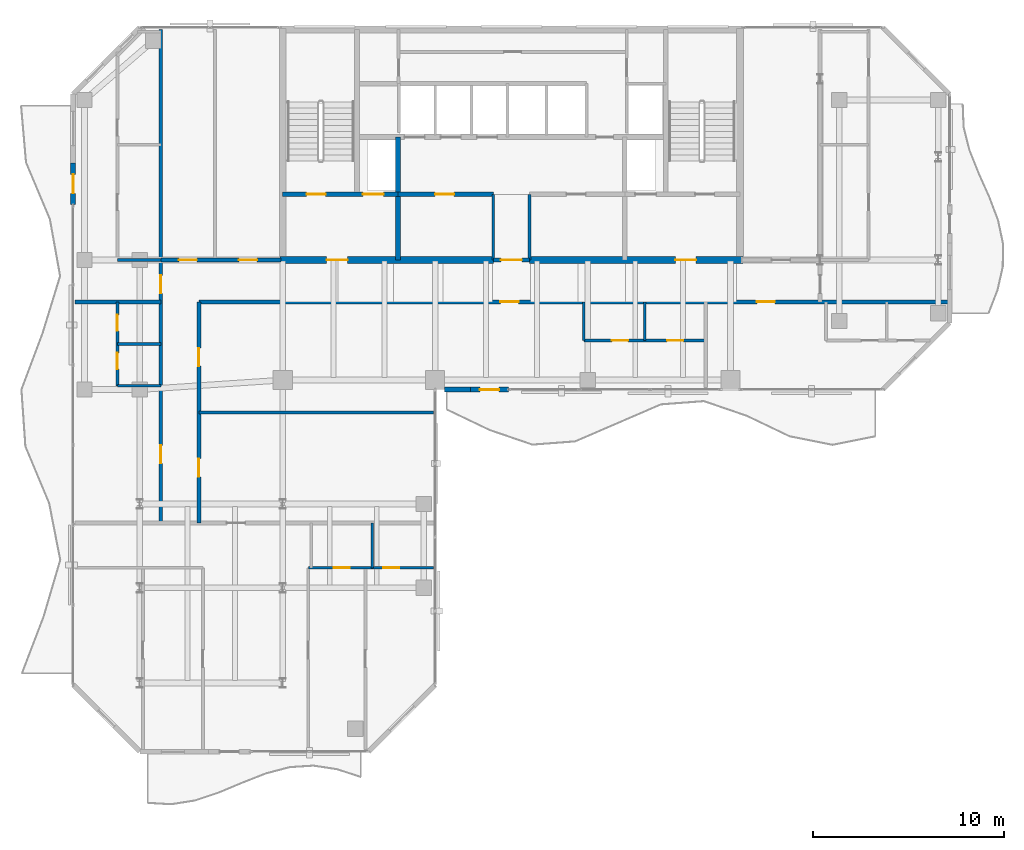
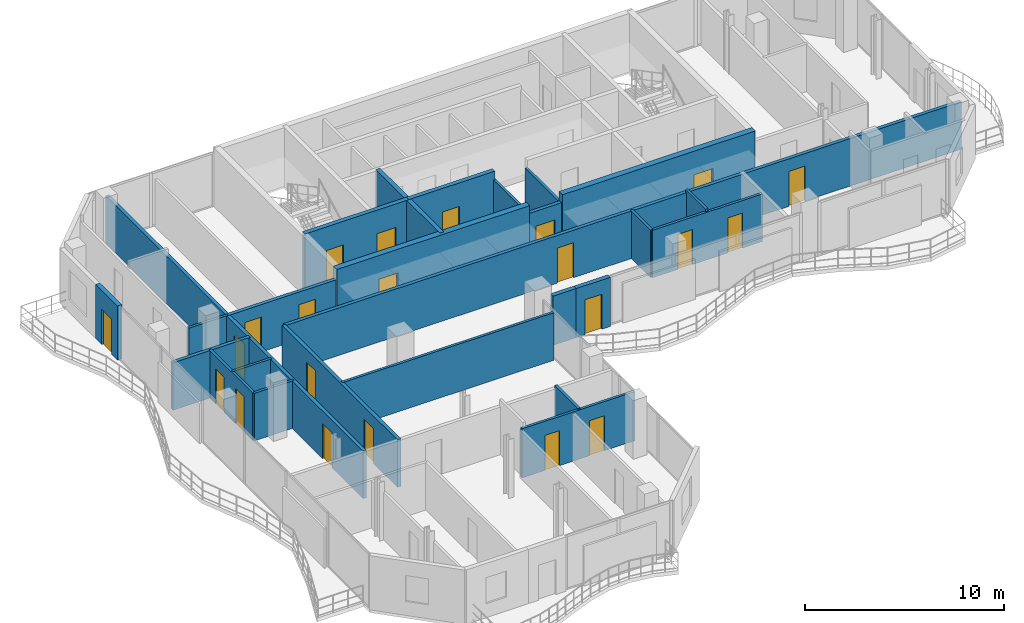
# One storey, part 18 of 23: 26 walls, 22 doors, 22 openings.
"""IFC4 building model written with IfcOpenShell, lengths in metres."""

from ifc_helpers import new_model, si_unit, direction, frame, frame_2d, origin, place, context, subcontext, project, spatial, rectangle, extrude, material, layer, layer_set, type_object, element, fill, save


model = new_model("IFC4")

# Units and contexts
model_context = context("Model", 3, precision=1e-05, world=origin(), true_north=direction((0.0, 1.0)))
body_context = subcontext(model_context, "Body", "Model", "MODEL_VIEW")
ifc_project = project(units=[si_unit("LENGTHUNIT", "METRE"), si_unit("AREAUNIT", "SQUARE_METRE"), si_unit("VOLUMEUNIT", "CUBIC_METRE"), si_unit("PLANEANGLEUNIT", "RADIAN"), si_unit("MASSUNIT", "GRAM", prefix="KILO")], contexts=[model_context])

# Site, building, storey
site_placement = place(None, origin())
site = spatial("IfcSite", under=ifc_project, at=site_placement, CompositionType="ELEMENT")
building_placement = place(site_placement, origin())
building = spatial("IfcBuilding", under=site, at=building_placement, Name="Catumbela Crestline Tower", CompositionType="ELEMENT")
storey_placement = place(building_placement, frame((0.0, 0.0, 186.6)))
storey = spatial("IfcBuildingStorey", under=building, at=storey_placement, Name="L48", CompositionType="ELEMENT", Elevation=186.6)

# Wall
ifc_material_1 = material(Name="Concrete C50/60", Category="concrete")
ifc_layer_1 = layer(ifc_material_1, 0.25, Name="Concrete C50/60")
ifc_layer_set_1 = layer_set([ifc_layer_1], Name="Concrete C50/60")
wall_type_1 = type_object("IfcWallType", Name="CW-250D", PredefinedType="SHEAR", material=ifc_layer_set_1)
wall_1_placement = place(storey_placement, frame((22.05, 30.8, 0.0), z_axis=(0.0, 0.0, 1.0), x_axis=(0.0, 1.0, 0.0)))
element("IfcWall", 1, at=wall_1_placement, inside=storey, type_object=wall_type_1, Name="L48 Structural Core Shear Wall FFW", PredefinedType="SHEAR", context=body_context, shape_type="SweptSolid", body=[
    extrude(rectangle(XDim=6.45, YDim=0.25, at=frame_2d((3.225, 0.0))), origin(), (0.0, 0.0, 1.0), 3.6),
])

# Wall, openings, doors
wall_2_placement = place(storey_placement, frame((16.0, 34.25, 0.0), z_axis=(0.0, 0.0, 1.0), x_axis=(1.0, 0.0, 0.0)))
wall_2 = element("IfcWall", 2, at=wall_2_placement, inside=storey, type_object=wall_type_1, Name="L48 Structural Core Shear Wall ST1S", PredefinedType="SHEAR", context=body_context, shape_type="SweptSolid", body=[
    extrude(rectangle(XDim=6.05, YDim=0.25, at=frame_2d((3.025, 0.0))), origin(), (0.0, 0.0, 1.0), 3.6),
])
opening_1_placement = place(wall_2_placement, frame((1.25, 0.0, 0.0)))
opening_1 = element("IfcOpeningElement", 3, at=opening_1_placement, cuts=wall_2, Name="Opening DF9-100", PredefinedType="OPENING", context=body_context, shape_type="SweptSolid", body=[
    extrude(rectangle(XDim=1.0, YDim=2.15, at=frame_2d((0.5, 1.075))), frame((0.0, 0.135, 0.0), z_axis=(0.0, -1.0, 0.0), x_axis=(1.0, 0.0, 0.0)), (0.0, 0.0, 1.0), 0.27),
])
opening_2_placement = place(wall_2_placement, frame((4.2, 0.0, 0.0)))
opening_2 = element("IfcOpeningElement", 4, at=opening_2_placement, cuts=wall_2, Name="Opening LD-110", PredefinedType="OPENING", context=body_context, shape_type="SweptSolid", body=[
    extrude(rectangle(XDim=1.1, YDim=2.15, at=frame_2d((0.55, 1.075))), frame((0.0, 0.135, 0.0), z_axis=(0.0, -1.0, 0.0), x_axis=(1.0, 0.0, 0.0)), (0.0, 0.0, 1.0), 0.27),
])
ifc_material_2 = material(Name="Stainless steel EN 1.4401", Category="steel")
door_type_1 = type_object("IfcDoorType", Name="DF9-100", OperationType="NOTDEFINED", PredefinedType="DOOR", material=ifc_material_2)
door_1_placement = place(opening_1_placement, origin())
door_1 = element("IfcDoor", 5, at=door_1_placement, inside=storey, type_object=door_type_1, Name="L48 Interior Door DR-L48-ST01", OperationType="SINGLE_SWING_LEFT", OverallHeight=2.15, OverallWidth=1.0, PredefinedType="DOOR", context=body_context, shape_type="SweptSolid", body=[
    extrude(rectangle(XDim=1.0, YDim=2.15, at=frame_2d((0.5, 1.075))), frame((0.0, 0.025, 0.0), z_axis=(0.0, -1.0, 0.0), x_axis=(1.0, 0.0, 0.0)), (0.0, 0.0, 1.0), 0.05),
])
fill(opening_1, door_1)
door_type_2 = type_object("IfcDoorType", Name="LD-110", OperationType="NOTDEFINED", PredefinedType="DOOR", material=ifc_material_2)
door_2_placement = place(opening_2_placement, origin())
door_2 = element("IfcDoor", 6, at=door_2_placement, inside=storey, type_object=door_type_2, Name="L48 Lift Landing Sliding Door FL-01", OperationType="DOUBLE_DOOR_SLIDING", OverallHeight=2.15, OverallWidth=1.1, PredefinedType="DOOR", context=body_context, shape_type="SweptSolid", body=[
    extrude(rectangle(XDim=1.1, YDim=2.15, at=frame_2d((0.55, 1.075))), frame((0.0, 0.025, 0.0), z_axis=(0.0, -1.0, 0.0), x_axis=(1.0, 0.0, 0.0)), (0.0, 0.0, 1.0), 0.05),
])
fill(opening_2, door_2)

# Wall, opening, door
wall_3_placement = place(storey_placement, frame((22.05, 34.25, 0.0), z_axis=(0.0, 0.0, 1.0), x_axis=(1.0, 0.0, 0.0)))
wall_3 = element("IfcWall", 7, at=wall_3_placement, inside=storey, type_object=wall_type_1, Name="L48 Structural Core Shear Wall LIFTS-W", PredefinedType="SHEAR", context=body_context, shape_type="SweptSolid", body=[
    extrude(rectangle(XDim=5.0, YDim=0.25, at=frame_2d((2.5, 0.0))), origin(), (0.0, 0.0, 1.0), 3.6),
])
opening_3_placement = place(wall_3_placement, frame((1.95, 0.0, 0.0)))
opening_3 = element("IfcOpeningElement", 8, at=opening_3_placement, cuts=wall_3, Name="Opening DF9-100", PredefinedType="OPENING", context=body_context, shape_type="SweptSolid", body=[
    extrude(rectangle(XDim=1.0, YDim=2.15, at=frame_2d((0.5, 1.075))), frame((0.0, 0.135, 0.0), z_axis=(0.0, -1.0, 0.0), x_axis=(1.0, 0.0, 0.0)), (0.0, 0.0, 1.0), 0.27),
])
door_3_placement = place(opening_3_placement, origin())
door_3 = element("IfcDoor", 9, at=door_3_placement, inside=storey, type_object=door_type_1, Name="L48 Interior Door DR-L48-RECL1", OperationType="SINGLE_SWING_LEFT", OverallHeight=2.15, OverallWidth=1.0, PredefinedType="DOOR", context=body_context, shape_type="SweptSolid", body=[
    extrude(rectangle(XDim=1.0, YDim=2.15, at=frame_2d((0.5, 1.075))), frame((0.0, 0.025, 0.0), z_axis=(0.0, -1.0, 0.0), x_axis=(1.0, 0.0, 0.0)), (0.0, 0.0, 1.0), 0.05),
])
fill(opening_3, door_3)

ifc_layer_2 = layer(ifc_material_1, 0.35, Name="Concrete C50/60")
ifc_layer_set_2 = layer_set([ifc_layer_2], Name="Concrete C50/60")
wall_type_2 = type_object("IfcWallType", Name="CW-350B", PredefinedType="SHEAR", material=ifc_layer_set_2)
wall_4_placement = place(storey_placement, frame((15.85, 30.8, 0.0), z_axis=(0.0, 0.0, 1.0), x_axis=(1.0, 0.0, 0.0)))
wall_4 = element("IfcWall", 10, at=wall_4_placement, inside=storey, type_object=wall_type_2, Name="L48 Structural Core Shear Wall SW", PredefinedType="SHEAR", context=body_context, shape_type="SweptSolid", body=[
    extrude(rectangle(XDim=11.2, YDim=0.35, at=frame_2d((5.6, 0.0))), origin(), (0.0, 0.0, 1.0), 3.6),
])
opening_4_placement = place(wall_4_placement, frame((2.45, 0.0, 0.0)))
opening_4 = element("IfcOpeningElement", 11, at=opening_4_placement, cuts=wall_4, Name="Opening DF9-110", PredefinedType="OPENING", context=body_context, shape_type="SweptSolid", body=[
    extrude(rectangle(XDim=1.1, YDim=2.15, at=frame_2d((0.55, 1.075))), frame((0.0, 0.185, 0.0), z_axis=(0.0, -1.0, 0.0), x_axis=(1.0, 0.0, 0.0)), (0.0, 0.0, 1.0), 0.37),
])
door_type_3 = type_object("IfcDoorType", Name="DF9-110", OperationType="NOTDEFINED", PredefinedType="DOOR", material=ifc_material_2)
door_4_placement = place(opening_4_placement, origin())
door_4 = element("IfcDoor", 12, at=door_4_placement, inside=storey, type_object=door_type_3, Name="L48 Interior Door DR-L48-FFW-S", OperationType="SINGLE_SWING_LEFT", OverallHeight=2.15, OverallWidth=1.1, PredefinedType="DOOR", context=body_context, shape_type="SweptSolid", body=[
    extrude(rectangle(XDim=1.1, YDim=2.15, at=frame_2d((0.55, 1.075))), frame((0.0, 0.025, 0.0), z_axis=(0.0, -1.0, 0.0), x_axis=(1.0, 0.0, 0.0)), (0.0, 0.0, 1.0), 0.05),
])
fill(opening_4, door_4)

wall_5_placement = place(storey_placement, frame((28.95, 30.8, 0.0), z_axis=(0.0, 0.0, 1.0), x_axis=(1.0, 0.0, 0.0)))
wall_5 = element("IfcWall", 13, at=wall_5_placement, inside=storey, type_object=wall_type_2, Name="L48 Structural Core Shear Wall SE", PredefinedType="SHEAR", context=body_context, shape_type="SweptSolid", body=[
    extrude(rectangle(XDim=11.2, YDim=0.35, at=frame_2d((5.6, 0.0))), origin(), (0.0, 0.0, 1.0), 3.6),
])
opening_5_placement = place(wall_5_placement, frame((7.65, 0.0, 0.0)))
opening_5 = element("IfcOpeningElement", 14, at=opening_5_placement, cuts=wall_5, Name="Opening DF9-110", PredefinedType="OPENING", context=body_context, shape_type="SweptSolid", body=[
    extrude(rectangle(XDim=1.1, YDim=2.15, at=frame_2d((0.55, 1.075))), frame((0.0, 0.185, 0.0), z_axis=(0.0, -1.0, 0.0), x_axis=(1.0, 0.0, 0.0)), (0.0, 0.0, 1.0), 0.37),
])
door_5_placement = place(opening_5_placement, origin())
door_5 = element("IfcDoor", 15, at=door_5_placement, inside=storey, type_object=door_type_3, Name="L48 Interior Door DR-L48-FFE-S", OperationType="SINGLE_SWING_RIGHT", OverallHeight=2.15, OverallWidth=1.1, PredefinedType="DOOR", context=body_context, shape_type="SweptSolid", body=[
    extrude(rectangle(XDim=1.1, YDim=2.15, at=frame_2d((0.55, 1.075))), frame((0.0, 0.025, 0.0), z_axis=(0.0, -1.0, 0.0), x_axis=(1.0, 0.0, 0.0)), (0.0, 0.0, 1.0), 0.05),
])
fill(opening_5, door_5)

ifc_material_3 = material(Name="Acoustic gypsum and mineral-wool partition")
ifc_layer_3 = layer(ifc_material_3, 0.2, Name="Acoustic gypsum and mineral-wool partition")
ifc_layer_set_3 = layer_set([ifc_layer_3], Name="Acoustic gypsum and mineral-wool partition")
wall_type_3 = type_object("IfcWallType", Name="WC-200", PredefinedType="PARTITIONING", material=ifc_layer_set_3)
wall_6_placement = place(storey_placement, frame((27.05, 30.8, 0.0), z_axis=(0.0, 0.0, 1.0), x_axis=(1.0, 0.0, 0.0)))
wall_6 = element("IfcWall", 16, at=wall_6_placement, inside=storey, type_object=wall_type_3, Name="L48 Interior Partition PW-L48-CLOBS", PredefinedType="PARTITIONING", context=body_context, shape_type="SweptSolid", body=[
    extrude(rectangle(XDim=1.9, YDim=0.2, at=frame_2d((0.95, 0.0))), origin(), (0.0, 0.0, 1.0), 3.07),
])
opening_6_placement = place(wall_6_placement, frame((0.4, 0.0, 0.0)))
opening_6 = element("IfcOpeningElement", 17, at=opening_6_placement, cuts=wall_6, Name="Opening DF9-110", PredefinedType="OPENING", context=body_context, shape_type="SweptSolid", body=[
    extrude(rectangle(XDim=1.1, YDim=2.15, at=frame_2d((0.55, 1.075))), frame((0.0, 0.11, 0.0), z_axis=(0.0, -1.0, 0.0), x_axis=(1.0, 0.0, 0.0)), (0.0, 0.0, 1.0), 0.22),
])
door_6_placement = place(opening_6_placement, origin())
door_6 = element("IfcDoor", 18, at=door_6_placement, inside=storey, type_object=door_type_3, Name="L48 Interior Door DR-L48-CLOBS", OperationType="SINGLE_SWING_LEFT", OverallHeight=2.15, OverallWidth=1.1, PredefinedType="DOOR", context=body_context, shape_type="SweptSolid", body=[
    extrude(rectangle(XDim=1.1, YDim=2.15, at=frame_2d((0.55, 1.075))), frame((0.0, 0.025, 0.0), z_axis=(0.0, -1.0, 0.0), x_axis=(1.0, 0.0, 0.0)), (0.0, 0.0, 1.0), 0.05),
])
fill(opening_6, door_6)

# Wall, openings, doors
wall_7_placement = place(storey_placement, frame((11.6, 28.6, 0.0), z_axis=(0.0, 0.0, 1.0), x_axis=(1.0, 0.0, 0.0)))
wall_7 = element("IfcWall", 19, at=wall_7_placement, inside=storey, type_object=wall_type_3, Name="L48 Interior Partition PW-L48-RCWR", PredefinedType="PARTITIONING", context=body_context, shape_type="SweptSolid", body=[
    extrude(rectangle(XDim=39.3, YDim=0.2, at=frame_2d((19.65, 0.0))), origin(), (0.0, 0.0, 1.0), 2.92),
])
opening_7_placement = place(wall_7_placement, frame((15.825, 0.0, 0.0)))
opening_7 = element("IfcOpeningElement", 20, at=opening_7_placement, cuts=wall_7, Name="Opening DF6-095", PredefinedType="OPENING", context=body_context, shape_type="SweptSolid", body=[
    extrude(rectangle(XDim=0.95, YDim=2.15, at=frame_2d((0.475, 1.075))), frame((0.0, 0.11, 0.0), z_axis=(0.0, -1.0, 0.0), x_axis=(1.0, 0.0, 0.0)), (0.0, 0.0, 1.0), 0.22),
])
opening_8_placement = place(wall_7_placement, frame((29.275, 0.0, 0.0)))
opening_8 = element("IfcOpeningElement", 21, at=opening_8_placement, cuts=wall_7, Name="Opening DF6-095", PredefinedType="OPENING", context=body_context, shape_type="SweptSolid", body=[
    extrude(rectangle(XDim=0.95, YDim=2.15, at=frame_2d((0.475, 1.075))), frame((0.0, 0.11, 0.0), z_axis=(0.0, -1.0, 0.0), x_axis=(1.0, 0.0, 0.0)), (0.0, 0.0, 1.0), 0.22),
])
ifc_material_4 = material(Name="Aluminium alloy AW-6060-T66", Category="aluminium")
door_type_4 = type_object("IfcDoorType", Name="DF6-095", OperationType="NOTDEFINED", PredefinedType="DOOR", material=ifc_material_4)
door_7_placement = place(opening_7_placement, origin())
door_7 = element("IfcDoor", 22, at=door_7_placement, inside=storey, type_object=door_type_4, Name="L48 Interior Door DR-L48-S1-ENT", OperationType="SINGLE_SWING_LEFT", OverallHeight=2.15, OverallWidth=0.95, PredefinedType="DOOR", context=body_context, shape_type="SweptSolid", body=[
    extrude(rectangle(XDim=0.95, YDim=2.15, at=frame_2d((0.475, 1.075))), frame((0.0, 0.025, 0.0), z_axis=(0.0, -1.0, 0.0), x_axis=(1.0, 0.0, 0.0)), (0.0, 0.0, 1.0), 0.05),
])
fill(opening_7, door_7)
door_8_placement = place(opening_8_placement, origin())
door_8 = element("IfcDoor", 23, at=door_8_placement, inside=storey, type_object=door_type_4, Name="L48 Interior Door DR-L48-S2-ENT", OperationType="SINGLE_SWING_RIGHT", OverallHeight=2.15, OverallWidth=0.95, PredefinedType="DOOR", context=body_context, shape_type="SweptSolid", body=[
    extrude(rectangle(XDim=0.95, YDim=2.15, at=frame_2d((0.475, 1.075))), frame((0.0, 0.025, 0.0), z_axis=(0.0, -1.0, 0.0), x_axis=(1.0, 0.0, 0.0)), (0.0, 0.0, 1.0), 0.05),
])
fill(opening_8, door_8)

wall_8_placement = place(storey_placement, frame((9.6, 17.0, 0.0), z_axis=(0.0, 0.0, 1.0), x_axis=(0.0, 1.0, 0.0)))
wall_8 = element("IfcWall", 24, at=wall_8_placement, inside=storey, type_object=wall_type_3, Name="L48 Interior Partition PW-L48-NW1-ENT", PredefinedType="PARTITIONING", context=body_context, shape_type="SweptSolid", body=[
    extrude(rectangle(XDim=25.9, YDim=0.2, at=frame_2d((12.95, 0.0))), origin(), (0.0, 0.0, 1.0), 2.92),
])
opening_9_placement = place(wall_8_placement, frame((12.045, 0.0, 0.0)))
opening_9 = element("IfcOpeningElement", 25, at=opening_9_placement, cuts=wall_8, Name="Opening DF6-095", PredefinedType="OPENING", context=body_context, shape_type="SweptSolid", body=[
    extrude(rectangle(XDim=0.95, YDim=2.15, at=frame_2d((0.475, 1.075))), frame((0.0, 0.11, 0.0), z_axis=(0.0, -1.0, 0.0), x_axis=(1.0, 0.0, 0.0)), (0.0, 0.0, 1.0), 0.22),
])
opening_10_placement = place(wall_8_placement, frame((3.125, 0.0, 0.0)))
opening_10 = element("IfcOpeningElement", 26, at=opening_10_placement, cuts=wall_8, Name="Opening DF6-095", PredefinedType="OPENING", context=body_context, shape_type="SweptSolid", body=[
    extrude(rectangle(XDim=0.95, YDim=2.15, at=frame_2d((0.475, 1.075))), frame((0.0, 0.11, 0.0), z_axis=(0.0, -1.0, 0.0), x_axis=(1.0, 0.0, 0.0)), (0.0, 0.0, 1.0), 0.22),
])
door_9_placement = place(opening_9_placement, origin())
door_9 = element("IfcDoor", 27, at=door_9_placement, inside=storey, type_object=door_type_4, Name="L48 Interior Door DR-L48-NW1-ENT", OperationType="SINGLE_SWING_LEFT", OverallHeight=2.15, OverallWidth=0.95, PredefinedType="DOOR", context=body_context, shape_type="SweptSolid", body=[
    extrude(rectangle(XDim=0.95, YDim=2.15, at=frame_2d((0.475, 1.075))), frame((0.0, 0.025, 0.0), z_axis=(0.0, -1.0, 0.0), x_axis=(1.0, 0.0, 0.0)), (0.0, 0.0, 1.0), 0.05),
])
fill(opening_9, door_9)
door_10_placement = place(opening_10_placement, origin())
door_10 = element("IfcDoor", 28, at=door_10_placement, inside=storey, type_object=door_type_4, Name="L48 Interior Door DR-L48-WL1-ENT", OperationType="SINGLE_SWING_LEFT", OverallHeight=2.15, OverallWidth=0.95, PredefinedType="DOOR", context=body_context, shape_type="SweptSolid", body=[
    extrude(rectangle(XDim=0.95, YDim=2.15, at=frame_2d((0.475, 1.075))), frame((0.0, 0.025, 0.0), z_axis=(0.0, -1.0, 0.0), x_axis=(1.0, 0.0, 0.0)), (0.0, 0.0, 1.0), 0.05),
])
fill(opening_10, door_10)

wall_9_placement = place(storey_placement, frame((9.6, 30.8, 0.0), z_axis=(0.0, 0.0, 1.0), x_axis=(1.0, 0.0, 0.0)))
wall_9 = element("IfcWall", 29, at=wall_9_placement, inside=storey, type_object=wall_type_3, Name="L48 Interior Partition PW-L48-NWST-ENT", PredefinedType="PARTITIONING", context=body_context, shape_type="SweptSolid", body=[
    extrude(rectangle(XDim=6.3, YDim=0.2, at=frame_2d((3.15, 0.0))), origin(), (0.0, 0.0, 1.0), 2.92),
])
opening_11_placement = place(wall_9_placement, frame((0.95, 0.0, 0.0)))
opening_11 = element("IfcOpeningElement", 30, at=opening_11_placement, cuts=wall_9, Name="Opening DF6-095", PredefinedType="OPENING", context=body_context, shape_type="SweptSolid", body=[
    extrude(rectangle(XDim=0.95, YDim=2.15, at=frame_2d((0.475, 1.075))), frame((0.0, 0.11, 0.0), z_axis=(0.0, -1.0, 0.0), x_axis=(1.0, 0.0, 0.0)), (0.0, 0.0, 1.0), 0.22),
])
opening_12_placement = place(wall_9_placement, frame((4.1, 0.0, 0.0)))
opening_12 = element("IfcOpeningElement", 31, at=opening_12_placement, cuts=wall_9, Name="Opening DF6-095", PredefinedType="OPENING", context=body_context, shape_type="SweptSolid", body=[
    extrude(rectangle(XDim=0.95, YDim=2.15, at=frame_2d((0.475, 1.075))), frame((0.0, 0.11, 0.0), z_axis=(0.0, -1.0, 0.0), x_axis=(1.0, 0.0, 0.0)), (0.0, 0.0, 1.0), 0.22),
])
door_11_placement = place(opening_11_placement, origin())
door_11 = element("IfcDoor", 32, at=door_11_placement, inside=storey, type_object=door_type_4, Name="L48 Interior Door DR-L48-NWST-ENT", OperationType="SINGLE_SWING_LEFT", OverallHeight=2.15, OverallWidth=0.95, PredefinedType="DOOR", context=body_context, shape_type="SweptSolid", body=[
    extrude(rectangle(XDim=0.95, YDim=2.15, at=frame_2d((0.475, 1.075))), frame((0.0, 0.025, 0.0), z_axis=(0.0, -1.0, 0.0), x_axis=(1.0, 0.0, 0.0)), (0.0, 0.0, 1.0), 0.05),
])
fill(opening_11, door_11)
door_12_placement = place(opening_12_placement, origin())
door_12 = element("IfcDoor", 33, at=door_12_placement, inside=storey, type_object=door_type_4, Name="L48 Interior Door DR-L48-NWMT-ENT", OperationType="SINGLE_SWING_LEFT", OverallHeight=2.15, OverallWidth=0.95, PredefinedType="DOOR", context=body_context, shape_type="SweptSolid", body=[
    extrude(rectangle(XDim=0.95, YDim=2.15, at=frame_2d((0.475, 1.075))), frame((0.0, 0.025, 0.0), z_axis=(0.0, -1.0, 0.0), x_axis=(1.0, 0.0, 0.0)), (0.0, 0.0, 1.0), 0.05),
])
fill(opening_12, door_12)

wall_10_placement = place(storey_placement, frame((11.6, 17.0, 0.0), z_axis=(0.0, 0.0, 1.0), x_axis=(0.0, 1.0, 0.0)))
wall_10 = element("IfcWall", 34, at=wall_10_placement, inside=storey, type_object=wall_type_3, Name="L48 Interior Partition PW-L48-RWMT-ENT", PredefinedType="PARTITIONING", context=body_context, shape_type="SweptSolid", body=[
    extrude(rectangle(XDim=11.6, YDim=0.2, at=frame_2d((5.8, 0.0))), origin(), (0.0, 0.0, 1.0), 2.92),
])
opening_13_placement = place(wall_10_placement, frame((8.225, 0.0, 0.0)))
opening_13 = element("IfcOpeningElement", 35, at=opening_13_placement, cuts=wall_10, Name="Opening DF6-095", PredefinedType="OPENING", context=body_context, shape_type="SweptSolid", body=[
    extrude(rectangle(XDim=0.95, YDim=2.15, at=frame_2d((0.475, 1.075))), frame((0.0, 0.11, 0.0), z_axis=(0.0, -1.0, 0.0), x_axis=(1.0, 0.0, 0.0)), (0.0, 0.0, 1.0), 0.22),
])
opening_14_placement = place(wall_10_placement, frame((2.425, 0.0, 0.0)))
opening_14 = element("IfcOpeningElement", 36, at=opening_14_placement, cuts=wall_10, Name="Opening DF6-095", PredefinedType="OPENING", context=body_context, shape_type="SweptSolid", body=[
    extrude(rectangle(XDim=0.95, YDim=2.15, at=frame_2d((0.475, 1.075))), frame((0.0, 0.11, 0.0), z_axis=(0.0, -1.0, 0.0), x_axis=(1.0, 0.0, 0.0)), (0.0, 0.0, 1.0), 0.22),
])
door_13_placement = place(opening_13_placement, origin())
door_13 = element("IfcDoor", 37, at=door_13_placement, inside=storey, type_object=door_type_4, Name="L48 Interior Door DR-L48-RWMT-ENT", OperationType="SINGLE_SWING_LEFT", OverallHeight=2.15, OverallWidth=0.95, PredefinedType="DOOR", context=body_context, shape_type="SweptSolid", body=[
    extrude(rectangle(XDim=0.95, YDim=2.15, at=frame_2d((0.475, 1.075))), frame((0.0, 0.025, 0.0), z_axis=(0.0, -1.0, 0.0), x_axis=(1.0, 0.0, 0.0)), (0.0, 0.0, 1.0), 0.05),
])
fill(opening_13, door_13)
door_14_placement = place(opening_14_placement, origin())
door_14 = element("IfcDoor", 38, at=door_14_placement, inside=storey, type_object=door_type_4, Name="L48 Interior Door DR-L48-RWLN-ENT", OperationType="SINGLE_SWING_RIGHT", OverallHeight=2.15, OverallWidth=0.95, PredefinedType="DOOR", context=body_context, shape_type="SweptSolid", body=[
    extrude(rectangle(XDim=0.95, YDim=2.15, at=frame_2d((0.475, 1.075))), frame((0.0, 0.025, 0.0), z_axis=(0.0, -1.0, 0.0), x_axis=(1.0, 0.0, 0.0)), (0.0, 0.0, 1.0), 0.05),
])
fill(opening_14, door_14)

# Wall, opening, door
ifc_material_5 = material(Name="Angolan grey-ochre granite", Category="masonry")
ifc_layer_4 = layer(ifc_material_5, 0.25, Name="Angolan grey-ochre granite")
ifc_layer_set_4 = layer_set([ifc_layer_4], Name="Angolan grey-ochre granite")
wall_type_4 = type_object("IfcWallType", Name="WE-250", PredefinedType="STANDARD", material=ifc_layer_set_4)
wall_11_placement = place(storey_placement, frame((25.85, 24.0, 0.0), z_axis=(0.0, 0.0, 1.0), x_axis=(1.0, 0.0, 0.0)))
wall_11 = element("IfcWall", 39, at=wall_11_placement, inside=storey, type_object=wall_type_4, Name="L48 Exterior Threshold Portal Wall DR-L48-WBAL-1", PredefinedType="STANDARD", context=body_context, shape_type="SweptSolid", body=[
    extrude(rectangle(XDim=2.0, YDim=0.25, at=frame_2d((1.0, 0.0))), origin(), (0.0, 0.0, 1.0), 3.02),
])
opening_15_placement = place(wall_11_placement, frame((0.5, 0.0, 0.0)))
opening_15 = element("IfcOpeningElement", 40, at=opening_15_placement, cuts=wall_11, Name="Opening DB-L48-1", PredefinedType="OPENING", context=body_context, shape_type="SweptSolid", body=[
    extrude(rectangle(XDim=1.0, YDim=2.15, at=frame_2d((0.5, 1.075))), frame((0.0, 0.135, 0.0), z_axis=(0.0, -1.0, 0.0), x_axis=(1.0, 0.0, 0.0)), (0.0, 0.0, 1.0), 0.27),
])
door_type_5 = type_object("IfcDoorType", Name="DB-1000", OperationType="NOTDEFINED", PredefinedType="DOOR", material=ifc_material_4)
door_15_placement = place(opening_15_placement, origin())
door_15 = element("IfcDoor", 41, at=door_15_placement, inside=storey, type_object=door_type_5, Name="L48 Wave Balcony Terrace Door 1", OperationType="SINGLE_SWING_RIGHT", OverallHeight=2.15, OverallWidth=1.0, PredefinedType="DOOR", context=body_context, shape_type="SweptSolid", body=[
    extrude(rectangle(XDim=1.0, YDim=2.15, at=frame_2d((0.5, 1.075))), frame((0.0, 0.025, 0.0), z_axis=(0.0, -1.0, 0.0), x_axis=(1.0, 0.0, 0.0)), (0.0, 0.0, 1.0), 0.05),
])
fill(opening_15, door_15)

# Wall
wall_12_placement = place(storey_placement, frame((24.5, 24.0, 0.0), z_axis=(0.0, 0.0, 1.0), x_axis=(1.0, 0.0, 0.0)))
element("IfcWall", 42, at=wall_12_placement, inside=storey, type_object=wall_type_4, Name="L48 Granite Punched Window Wall 3-1", PredefinedType="STANDARD", context=body_context, shape_type="SweptSolid", body=[
    extrude(rectangle(XDim=1.35, YDim=0.25, at=frame_2d((0.675, 0.0))), origin(), (0.0, 0.0, 1.0), 3.02),
])

# Wall, opening, door
wall_13_placement = place(storey_placement, frame((5.0, 35.9, 0.0), z_axis=(0.0, 0.0, 1.0), x_axis=(0.0, -1.0, 0.0)))
wall_13 = element("IfcWall", 43, at=wall_13_placement, inside=storey, type_object=wall_type_4, Name="L48 Exterior Threshold Portal Wall DR-L48-WBAL-4", PredefinedType="STANDARD", context=body_context, shape_type="SweptSolid", body=[
    extrude(rectangle(XDim=2.2, YDim=0.25, at=frame_2d((1.1, 0.0))), origin(), (0.0, 0.0, 1.0), 3.33),
])
opening_16_placement = place(wall_13_placement, frame((0.6, 0.0, 0.0)))
opening_16 = element("IfcOpeningElement", 44, at=opening_16_placement, cuts=wall_13, Name="Opening DB-L48-4", PredefinedType="OPENING", context=body_context, shape_type="SweptSolid", body=[
    extrude(rectangle(XDim=1.0, YDim=2.15, at=frame_2d((0.5, 1.075))), frame((0.0, 0.135, 0.0), z_axis=(0.0, -1.0, 0.0), x_axis=(1.0, 0.0, 0.0)), (0.0, 0.0, 1.0), 0.27),
])
door_16_placement = place(opening_16_placement, origin())
door_16 = element("IfcDoor", 45, at=door_16_placement, inside=storey, type_object=door_type_5, Name="L48 Wave Balcony Terrace Door 4", OperationType="SINGLE_SWING_LEFT", OverallHeight=2.15, OverallWidth=1.0, PredefinedType="DOOR", context=body_context, shape_type="SweptSolid", body=[
    extrude(rectangle(XDim=1.0, YDim=2.15, at=frame_2d((0.5, 1.075))), frame((0.0, 0.025, 0.0), z_axis=(0.0, -1.0, 0.0), x_axis=(1.0, 0.0, 0.0)), (0.0, 0.0, 1.0), 0.05),
])
fill(opening_16, door_16)

# Walls
ifc_layer_5 = layer(ifc_material_3, 0.15, Name="Acoustic gypsum and mineral-wool partition")
ifc_layer_set_5 = layer_set([ifc_layer_5], Name="Acoustic gypsum and mineral-wool partition")
wall_type_5 = type_object("IfcWallType", Name="WP-150", PredefinedType="PARTITIONING", material=ifc_layer_set_5)
wall_14_placement = place(storey_placement, frame((7.32, 30.8, 0.0), z_axis=(0.0, 0.0, 1.0), x_axis=(1.0, 0.0, 0.0)))
element("IfcWall", 46, at=wall_14_placement, inside=storey, type_object=wall_type_5, Name="L48 Interior Partition PW-L48-NW1-KBS", PredefinedType="PARTITIONING", context=body_context, shape_type="SweptSolid", body=[
    extrude(rectangle(XDim=2.28, YDim=0.15, at=frame_2d((1.14, 0.0))), origin(), (0.0, 0.0, 1.0), 2.92),
])
wall_15_placement = place(storey_placement, frame((31.8, 26.576, 0.0), z_axis=(0.0, 0.0, 1.0), x_axis=(0.0, 1.0, 0.0)))
element("IfcWall", 47, at=wall_15_placement, inside=storey, type_object=wall_type_5, Name="L48 Interior Partition PW-L48-S1-KBW", PredefinedType="PARTITIONING", context=body_context, shape_type="SweptSolid", body=[
    extrude(rectangle(XDim=2.024, YDim=0.15, at=frame_2d((1.012, 0.0))), origin(), (0.0, 0.0, 1.0), 2.92),
])
wall_16_placement = place(storey_placement, frame((35.0, 26.576, 0.0), z_axis=(0.0, 0.0, 1.0), x_axis=(0.0, 1.0, 0.0)))
element("IfcWall", 48, at=wall_16_placement, inside=storey, type_object=wall_type_5, Name="L48 Interior Partition PW-L48-S1-KBM", PredefinedType="PARTITIONING", context=body_context, shape_type="SweptSolid", body=[
    extrude(rectangle(XDim=2.024, YDim=0.15, at=frame_2d((1.012, 0.0))), origin(), (0.0, 0.0, 1.0), 3.07),
])

# Wall, openings, doors
wall_17_placement = place(storey_placement, frame((31.8, 26.576, 0.0), z_axis=(0.0, 0.0, 1.0), x_axis=(1.0, 0.0, 0.0)))
wall_17 = element("IfcWall", 49, at=wall_17_placement, inside=storey, type_object=wall_type_5, Name="L48 Interior Partition PW-L48-S1-KBD1", PredefinedType="PARTITIONING", context=body_context, shape_type="SweptSolid", body=[
    extrude(rectangle(XDim=6.4, YDim=0.15, at=frame_2d((3.2, 0.0))), origin(), (0.0, 0.0, 1.0), 2.92),
])
opening_17_placement = place(wall_17_placement, frame((1.4716, 0.0, 0.0)))
opening_17 = element("IfcOpeningElement", 50, at=opening_17_placement, cuts=wall_17, Name="Opening DI-085", PredefinedType="OPENING", context=body_context, shape_type="SweptSolid", body=[
    extrude(rectangle(XDim=0.85, YDim=2.15, at=frame_2d((0.425, 1.075))), frame((0.0, 0.085, 0.0), z_axis=(0.0, -1.0, 0.0), x_axis=(1.0, 0.0, 0.0)), (0.0, 0.0, 1.0), 0.17),
])
opening_18_placement = place(wall_17_placement, frame((4.375, 0.0, 0.0)))
opening_18 = element("IfcOpeningElement", 51, at=opening_18_placement, cuts=wall_17, Name="Opening DI-085", PredefinedType="OPENING", context=body_context, shape_type="SweptSolid", body=[
    extrude(rectangle(XDim=0.85, YDim=2.15, at=frame_2d((0.425, 1.075))), frame((0.0, 0.085, 0.0), z_axis=(0.0, -1.0, 0.0), x_axis=(1.0, 0.0, 0.0)), (0.0, 0.0, 1.0), 0.17),
])
door_type_6 = type_object("IfcDoorType", Name="DI-085", OperationType="NOTDEFINED", PredefinedType="DOOR", material=ifc_material_4)
door_17_placement = place(opening_17_placement, origin())
door_17 = element("IfcDoor", 52, at=door_17_placement, inside=storey, type_object=door_type_6, Name="L48 Interior Door DR-L48-S1-BTH", OperationType="SINGLE_SWING_LEFT", OverallHeight=2.15, OverallWidth=0.85, PredefinedType="DOOR", context=body_context, shape_type="SweptSolid", body=[
    extrude(rectangle(XDim=0.85, YDim=2.15, at=frame_2d((0.425, 1.075))), frame((0.0, 0.025, 0.0), z_axis=(0.0, -1.0, 0.0), x_axis=(1.0, 0.0, 0.0)), (0.0, 0.0, 1.0), 0.05),
])
fill(opening_17, door_17)
door_18_placement = place(opening_18_placement, origin())
door_18 = element("IfcDoor", 53, at=door_18_placement, inside=storey, type_object=door_type_6, Name="L48 Interior Door DR-L48-S1-KIT", OperationType="SINGLE_SWING_RIGHT", OverallHeight=2.15, OverallWidth=0.85, PredefinedType="DOOR", context=body_context, shape_type="SweptSolid", body=[
    extrude(rectangle(XDim=0.85, YDim=2.15, at=frame_2d((0.425, 1.075))), frame((0.0, 0.025, 0.0), z_axis=(0.0, -1.0, 0.0), x_axis=(1.0, 0.0, 0.0)), (0.0, 0.0, 1.0), 0.05),
])
fill(opening_18, door_18)

# Walls
for number, where, z_axis, x_axis, name in (
    (54, (7.32, 24.2, 0.0), (0.0, 0.0, 1.0), (1.0, 0.0, 0.0), "L48 Interior Partition PW-L48-WL1-KBS"),
    (55, (7.32, 26.4, 0.0), (0.0, 0.0, 1.0), (1.0, 0.0, 0.0), "L48 Interior Partition PW-L48-WL1-KBM"),
):
    element("IfcWall", number, at=place(storey_placement, frame(where, z_axis=z_axis, x_axis=x_axis)), inside=storey, type_object=wall_type_5, Name=name, PredefinedType="PARTITIONING", context=body_context, shape_type="SweptSolid", body=[
        extrude(rectangle(XDim=2.28, YDim=0.15, at=frame_2d((1.14, 0.0))), origin(), (0.0, 0.0, 1.0), 2.92),
    ])

# Wall, openings, doors
wall_18_placement = place(storey_placement, frame((7.32, 24.2, 0.0), z_axis=(0.0, 0.0, 1.0), x_axis=(0.0, 1.0, 0.0)))
wall_18 = element("IfcWall", 56, at=wall_18_placement, inside=storey, type_object=wall_type_5, Name="L48 Interior Partition PW-L48-WL1-SK1", PredefinedType="PARTITIONING", context=body_context, shape_type="SweptSolid", body=[
    extrude(rectangle(XDim=4.4, YDim=0.15, at=frame_2d((2.2, 0.0))), origin(), (0.0, 0.0, 1.0), 2.92),
])
opening_19_placement = place(wall_18_placement, frame((0.8733, 0.0, 0.0)))
opening_19 = element("IfcOpeningElement", 57, at=opening_19_placement, cuts=wall_18, Name="Opening DI-085", PredefinedType="OPENING", context=body_context, shape_type="SweptSolid", body=[
    extrude(rectangle(XDim=0.85, YDim=2.15, at=frame_2d((0.425, 1.075))), frame((0.0, 0.085, 0.0), z_axis=(0.0, -1.0, 0.0), x_axis=(1.0, 0.0, 0.0)), (0.0, 0.0, 1.0), 0.17),
])
opening_20_placement = place(wall_18_placement, frame((2.875, 0.0, 0.0)))
opening_20 = element("IfcOpeningElement", 58, at=opening_20_placement, cuts=wall_18, Name="Opening DI-085", PredefinedType="OPENING", context=body_context, shape_type="SweptSolid", body=[
    extrude(rectangle(XDim=0.85, YDim=2.15, at=frame_2d((0.425, 1.075))), frame((0.0, 0.085, 0.0), z_axis=(0.0, -1.0, 0.0), x_axis=(1.0, 0.0, 0.0)), (0.0, 0.0, 1.0), 0.17),
])
door_19_placement = place(opening_19_placement, origin())
door_19 = element("IfcDoor", 59, at=door_19_placement, inside=storey, type_object=door_type_6, Name="L48 Interior Door DR-L48-WL1-KIT", OperationType="SINGLE_SWING_LEFT", OverallHeight=2.15, OverallWidth=0.85, PredefinedType="DOOR", context=body_context, shape_type="SweptSolid", body=[
    extrude(rectangle(XDim=0.85, YDim=2.15, at=frame_2d((0.425, 1.075))), frame((0.0, 0.025, 0.0), z_axis=(0.0, -1.0, 0.0), x_axis=(1.0, 0.0, 0.0)), (0.0, 0.0, 1.0), 0.05),
])
fill(opening_19, door_19)
door_20_placement = place(opening_20_placement, origin())
door_20 = element("IfcDoor", 60, at=door_20_placement, inside=storey, type_object=door_type_6, Name="L48 Interior Door DR-L48-WL1-BTH", OperationType="SINGLE_SWING_RIGHT", OverallHeight=2.15, OverallWidth=0.85, PredefinedType="DOOR", context=body_context, shape_type="SweptSolid", body=[
    extrude(rectangle(XDim=0.85, YDim=2.15, at=frame_2d((0.425, 1.075))), frame((0.0, 0.025, 0.0), z_axis=(0.0, -1.0, 0.0), x_axis=(1.0, 0.0, 0.0)), (0.0, 0.0, 1.0), 0.05),
])
fill(opening_20, door_20)

# Walls
wall_19_placement = place(storey_placement, frame((11.6, 22.8, 0.0), z_axis=(0.0, 0.0, 1.0), x_axis=(1.0, 0.0, 0.0)))
element("IfcWall", 61, at=wall_19_placement, inside=storey, type_object=wall_type_5, Name="L48 Interior Partition PW-L48-RWRP3", PredefinedType="PARTITIONING", context=body_context, shape_type="SweptSolid", body=[
    extrude(rectangle(XDim=12.3, YDim=0.15, at=frame_2d((6.15, 0.0))), origin(), (0.0, 0.0, 1.0), 2.92),
])
wall_20_placement = place(storey_placement, frame((20.7, 14.65, 0.0), z_axis=(0.0, 0.0, 1.0), x_axis=(0.0, 1.0, 0.0)))
element("IfcWall", 62, at=wall_20_placement, inside=storey, type_object=wall_type_5, Name="L48 Interior Partition PW-L48-SH1-KBM", PredefinedType="PARTITIONING", context=body_context, shape_type="SweptSolid", body=[
    extrude(rectangle(XDim=2.35, YDim=0.15, at=frame_2d((1.175, 0.0))), origin(), (0.0, 0.0, 1.0), 3.07),
])

# Wall, openings, doors
wall_21_placement = place(storey_placement, frame((17.34, 14.65, 0.0), z_axis=(0.0, 0.0, 1.0), x_axis=(1.0, 0.0, 0.0)))
wall_21 = element("IfcWall", 63, at=wall_21_placement, inside=storey, type_object=wall_type_5, Name="L48 Interior Partition PW-L48-SH1-KBD1", PredefinedType="PARTITIONING", context=body_context, shape_type="SweptSolid", body=[
    extrude(rectangle(XDim=6.56, YDim=0.15, at=frame_2d((3.28, 0.0))), origin(), (0.0, 0.0, 1.0), 3.02),
])
opening_21_placement = place(wall_21_placement, frame((1.335, 0.0, 0.0)))
opening_21 = element("IfcOpeningElement", 64, at=opening_21_placement, cuts=wall_21, Name="Opening DI-085", PredefinedType="OPENING", context=body_context, shape_type="SweptSolid", body=[
    extrude(rectangle(XDim=0.85, YDim=2.15, at=frame_2d((0.425, 1.075))), frame((0.0, 0.085, 0.0), z_axis=(0.0, -1.0, 0.0), x_axis=(1.0, 0.0, 0.0)), (0.0, 0.0, 1.0), 0.17),
])
opening_22_placement = place(wall_21_placement, frame((3.9305, 0.0, 0.0)))
opening_22 = element("IfcOpeningElement", 65, at=opening_22_placement, cuts=wall_21, Name="Opening DI-085", PredefinedType="OPENING", context=body_context, shape_type="SweptSolid", body=[
    extrude(rectangle(XDim=0.85, YDim=2.15, at=frame_2d((0.425, 1.075))), frame((0.0, 0.085, 0.0), z_axis=(0.0, -1.0, 0.0), x_axis=(1.0, 0.0, 0.0)), (0.0, 0.0, 1.0), 0.17),
])
door_21_placement = place(opening_21_placement, origin())
door_21 = element("IfcDoor", 66, at=door_21_placement, inside=storey, type_object=door_type_6, Name="L48 Interior Door DR-L48-SH1-BTH", OperationType="SINGLE_SWING_LEFT", OverallHeight=2.15, OverallWidth=0.85, PredefinedType="DOOR", context=body_context, shape_type="SweptSolid", body=[
    extrude(rectangle(XDim=0.85, YDim=2.15, at=frame_2d((0.425, 1.075))), frame((0.0, 0.025, 0.0), z_axis=(0.0, -1.0, 0.0), x_axis=(1.0, 0.0, 0.0)), (0.0, 0.0, 1.0), 0.05),
])
fill(opening_21, door_21)
door_22_placement = place(opening_22_placement, origin())
door_22 = element("IfcDoor", 67, at=door_22_placement, inside=storey, type_object=door_type_6, Name="L48 Interior Door DR-L48-SH1-KIT", OperationType="SINGLE_SWING_RIGHT", OverallHeight=2.15, OverallWidth=0.85, PredefinedType="DOOR", context=body_context, shape_type="SweptSolid", body=[
    extrude(rectangle(XDim=0.85, YDim=2.15, at=frame_2d((0.425, 1.075))), frame((0.0, 0.025, 0.0), z_axis=(0.0, -1.0, 0.0), x_axis=(1.0, 0.0, 0.0)), (0.0, 0.0, 1.0), 0.05),
])
fill(opening_22, door_22)

# Walls
ifc_layer_6 = layer(ifc_material_3, 0.2, Name="Acoustic gypsum and mineral-wool partition")
ifc_layer_set_6 = layer_set([ifc_layer_6], Name="Acoustic gypsum and mineral-wool partition")
wall_type_6 = type_object("IfcWallType", Name="WY-200", PredefinedType="PARTITIONING", material=ifc_layer_set_6)
wall_22_placement = place(storey_placement, frame((5.1, 28.6, 0.0), z_axis=(0.0, 0.0, 1.0), x_axis=(1.0, 0.0, 0.0)))
element("IfcWall", 68, at=wall_22_placement, inside=storey, type_object=wall_type_6, Name="L48 Interior Partition PW-L48-RCWNW", PredefinedType="PARTITIONING", context=body_context, shape_type="SweptSolid", body=[
    extrude(rectangle(XDim=4.5, YDim=0.2, at=frame_2d((2.25, 0.0))), origin(), (0.0, 0.0, 1.0), 2.92),
])
ifc_layer_7 = layer(ifc_material_3, 0.15, Name="Acoustic gypsum and mineral-wool partition")
ifc_layer_set_7 = layer_set([ifc_layer_7], Name="Acoustic gypsum and mineral-wool partition")
wall_type_7 = type_object("IfcWallType", Name="WS-150", PredefinedType="PLUMBINGWALL", material=ifc_layer_set_7)
for number, where, z_axis, x_axis, name in (
    (69, (27.05, 30.8, 0.0), (0.0, 0.0, 1.0), (0.0, 1.0, 0.0), "L48 Interior Partition PW-L48-THRW"),
    (70, (28.95, 30.8, 0.0), (0.0, 0.0, 1.0), (0.0, 1.0, 0.0), "L48 Interior Partition PW-L48-THRE"),
):
    element("IfcWall", number, at=place(storey_placement, frame(where, z_axis=z_axis, x_axis=x_axis)), inside=storey, type_object=wall_type_7, Name=name, PredefinedType="PLUMBINGWALL", context=body_context, shape_type="SweptSolid", body=[
        extrude(rectangle(XDim=3.45, YDim=0.15, at=frame_2d((1.725, 0.0))), origin(), (0.0, 0.0, 1.0), 3.07),
    ])

save(model, "model.ifc")
